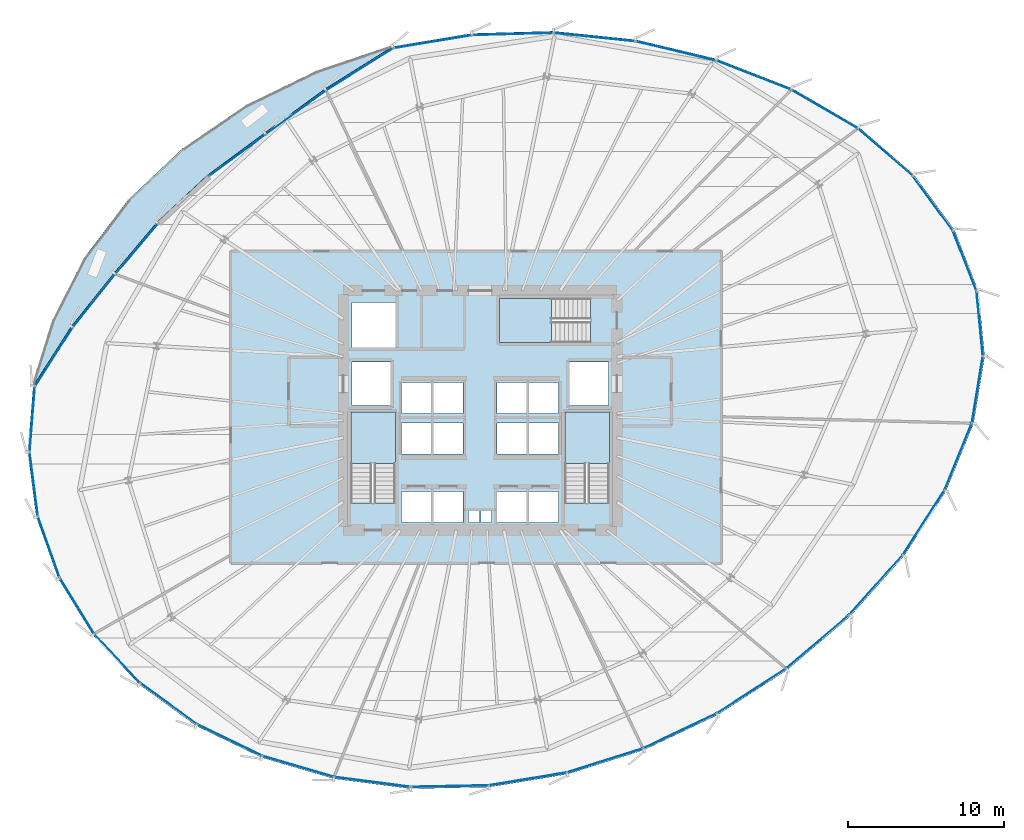
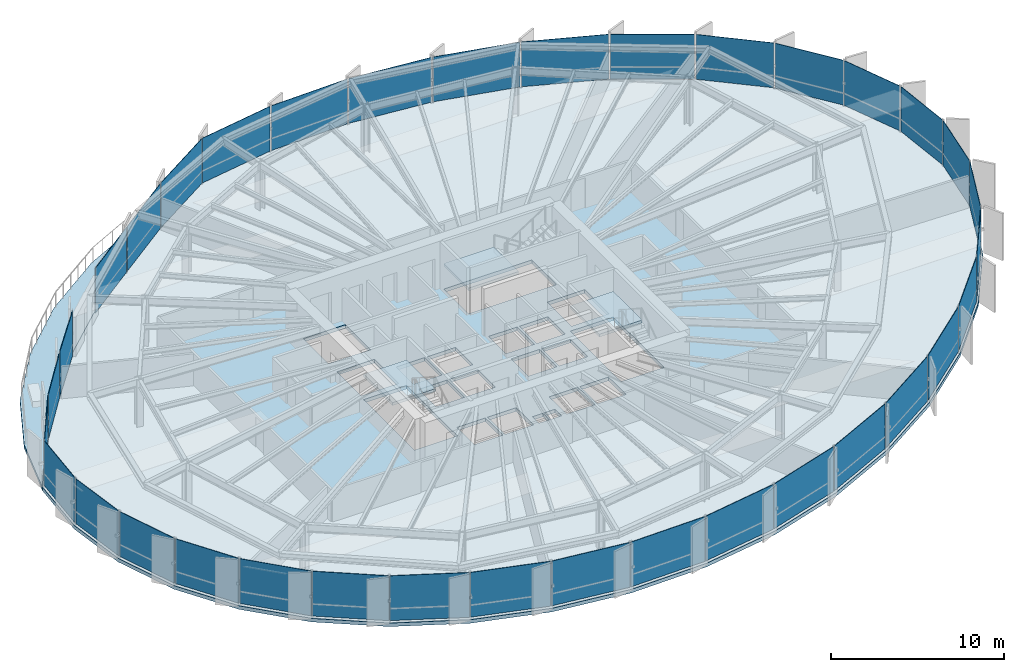
# One storey, part 28 of 35: 35 plates, 5 slabs, 9 elements without a shape of their own.
"""IFC4 building model written with IfcOpenShell, lengths in metres."""

from ifc_helpers import new_model, si_unit, direction, frame, origin, origin_2d, place, context, subcontext, project, spatial, polyline, rectangle, outline, extrude, source, transform, mapped, material, layer, layer_set, type_object, element, aggregate, save


model = new_model("IFC4")

# Units and contexts
model_context = context("Model", 3, precision=1e-05, world=origin(), true_north=direction((0.0, 1.0)))
body_context = subcontext(model_context, "Body", "Model", "MODEL_VIEW")
ifc_project = project(units=[si_unit("LENGTHUNIT", "METRE"), si_unit("AREAUNIT", "SQUARE_METRE"), si_unit("VOLUMEUNIT", "CUBIC_METRE"), si_unit("PLANEANGLEUNIT", "RADIAN"), si_unit("MASSUNIT", "GRAM", prefix="KILO"), si_unit("THERMODYNAMICTEMPERATUREUNIT", "KELVIN")], contexts=[model_context])

# Site, building, storey
site_placement = place(None, origin())
site = spatial("IfcSite", under=ifc_project, at=site_placement, CompositionType="ELEMENT")
building_placement = place(site_placement, origin())
building = spatial("IfcBuilding", under=site, at=building_placement, Name="Kethvar Cultural Tower", CompositionType="ELEMENT")
storey_placement = place(building_placement, frame((0.0, 0.0, 89.199951171875)))
storey = spatial("IfcBuildingStorey", under=building, at=storey_placement, Name="L21", CompositionType="ELEMENT", Elevation=89.199951171875)

# Stair, slab
ifc_material_1 = material(Name="Concrete C40/50", Category="concrete")
stair_type = type_object("IfcStairType", Name="ST-DOGLEG-135", PredefinedType="HALF_TURN_STAIR", material=ifc_material_1)
stair_1_placement = place(storey_placement, origin())
stair_1 = element("IfcStair", 1, at=stair_1_placement, inside=storey, type_object=stair_type, Name="L21 Core Exit Stair 1", PredefinedType="HALF_TURN_STAIR")
ifc_layer_1 = layer(ifc_material_1, 0.199951171875, Name="Concrete C40/50", Category="concrete")
ifc_layer_set_1 = layer_set([ifc_layer_1], Name="Concrete C40/50 (200 mm)")
slab_type_1 = type_object("IfcSlabType", Name="SL-STAIR-LANDING-200", PredefinedType="LANDING", material=ifc_layer_set_1)
slab_1_placement = place(storey_placement, frame((0.0, 0.0, 1.60009765625)))
slab_1 = element("IfcSlab", 2, at=slab_1_placement, type_object=slab_type_1, Name="ST-01 landing 1", PredefinedType="LANDING", context=body_context, shape_type="SweptSolid", body=[
    extrude(outline(polyline([(41.35009765625, 24.3701171875), (41.35009765625, 27.699951171875), (38.489990234375, 27.699951171875), (38.489990234375, 24.3701171875), (41.35009765625, 24.3701171875)])), origin(), (0.0, 0.0, 1.0), 0.199951171875),
])
aggregate(stair_1, [slab_1])

stair_2_placement = place(storey_placement, origin())
stair_2 = element("IfcStair", 3, at=stair_2_placement, inside=storey, type_object=stair_type, Name="L21 Core Exit Stair 2", PredefinedType="HALF_TURN_STAIR")
slab_2_placement = place(storey_placement, frame((0.0, 0.0, 1.60009765625)))
slab_2 = element("IfcSlab", 4, at=slab_2_placement, type_object=slab_type_1, Name="ST-02 landing 1", PredefinedType="LANDING", context=body_context, shape_type="SweptSolid", body=[
    extrude(outline(polyline([(55.110107421875, 24.3701171875), (55.110107421875, 27.699951171875), (52.25, 27.699951171875), (52.25, 24.3701171875), (55.110107421875, 24.3701171875)])), origin(), (0.0, 0.0, 1.0), 0.199951171875),
])
aggregate(stair_2, [slab_2])

stair_3_placement = place(storey_placement, origin())
stair_3 = element("IfcStair", 5, at=stair_3_placement, inside=storey, type_object=stair_type, Name="L21 Core Exit Stair 3", PredefinedType="HALF_TURN_STAIR")
slab_3_placement = place(storey_placement, frame((0.0, 0.0, 1.60009765625)))
slab_3 = element("IfcSlab", 6, at=slab_3_placement, type_object=slab_type_1, Name="ST-03 landing 1", PredefinedType="LANDING", context=body_context, shape_type="SweptSolid", body=[
    extrude(outline(polyline([(51.3798828125, 35.010009765625), (48.050048828125, 35.010009765625), (48.050048828125, 32.14990234375), (51.3798828125, 32.14990234375), (51.3798828125, 35.010009765625)])), origin(), (0.0, 0.0, 1.0), 0.199951171875),
])
aggregate(stair_3, [slab_3])

# Slabs
ifc_layer_2 = layer(ifc_material_1, 0.215087890625, Name="Concrete C40/50", Category="concrete")
ifc_layer_set_2 = layer_set([ifc_layer_2], Name="Concrete C40/50 (215 mm)")
slab_type_2 = type_object("IfcSlabType", Name="SL-TER-EXT", PredefinedType="FLOOR", material=ifc_layer_set_2)
slab_4_placement = place(storey_placement, frame((0.0, 0.0, -0.21484375)))
element("IfcSlab", 7, at=slab_4_placement, inside=storey, type_object=slab_type_2, Name="L21 Spiralling Sky Terrace Deck", PredefinedType="FLOOR", context=body_context, shape_type="SweptSolid", body=[
    extrude(outline(polyline([(41.18310546875, 51.196044921875), (36.3125, 49.65087890625), (31.7607421875, 47.441650390625), (27.666015625, 44.6357421875), (24.15234375, 41.318115234375), (21.326904296875, 37.58984375), (19.275634765625, 33.564208984375), (18.060546875, 29.36328125), (20.514892578125, 33.197021484375), (23.26171875, 36.625244140625), (26.04150390625, 39.92041015625), (29.283447265625, 42.930908203125), (32.9541015625, 45.638671875), (36.827880859375, 48.465576171875), (41.18310546875, 51.196044921875)])), origin(), (0.0, 0.0, 1.0), 0.21484375),
])
ifc_layer_3 = layer(ifc_material_1, 0.25, Name="Concrete C40/50", Category="concrete")
ifc_layer_set_3 = layer_set([ifc_layer_3], Name="Concrete C40/50 (250 mm)")
slab_type_3 = type_object("IfcSlabType", Name="SL-TOW-250", PredefinedType="FLOOR", material=ifc_layer_set_3)
slab_5_placement = place(storey_placement, frame((0.0, 0.0, -0.25)))
element("IfcSlab", 8, at=slab_5_placement, inside=storey, type_object=slab_type_3, Name="L21 Structural Floor Slab", PredefinedType="FLOOR", context=body_context, shape_type="SweptSolid", body=[
    extrude(outline(polyline([(78.840087890625, 35.4921875), (77.2998046875, 39.419189453125), (74.693603515625, 42.959716796875), (71.150634765625, 46.018310546875), (66.85009765625, 48.51904296875), (62.001708984375, 50.405029296875), (56.82421875, 51.635986328125), (51.5224609375, 52.18603515625), (46.268310546875, 52.041015625), (41.18310546875, 51.196044921875), (36.827880859375, 48.465576171875), (32.9541015625, 45.638671875), (29.283447265625, 42.930908203125), (26.04150390625, 39.92041015625), (23.26171875, 36.625244140625), (20.514892578125, 33.197021484375), (18.060546875, 29.36328125), (17.71875, 25.114990234375), (18.260498046875, 20.9482421875), (19.66943359375, 16.98974609375), (21.902587890625, 13.359619140625), (24.892578125, 10.168212890625), (28.5478515625, 7.5126953125), (32.7578125, 5.473388671875), (37.39453125, 4.112548828125), (42.31689453125, 3.471435546875), (47.375732421875, 3.569580078125), (52.4169921875, 4.404052734375), (57.331298828125, 5.959716796875), (62.07861328125, 8.2158203125), (66.552978515625, 11.11279296875), (70.607177734375, 14.560302734375), (74.07080078125, 18.441650390625), (76.767578125, 22.622314453125), (78.535888671875, 26.9560546875), (79.25048828125, 31.293701171875), (78.840087890625, 35.4921875)]), holes=[polyline([(38.489990234375, 21.85009765625), (38.489990234375, 27.699951171875), (41.35009765625, 27.699951171875), (41.35009765625, 21.85009765625), (38.489990234375, 21.85009765625)]), polyline([(52.25, 21.85009765625), (52.25, 27.699951171875), (55.110107421875, 27.699951171875), (55.110107421875, 21.85009765625), (52.25, 21.85009765625)]), polyline([(53.89990234375, 32.14990234375), (48.050048828125, 32.14990234375), (48.050048828125, 35.010009765625), (53.89990234375, 35.010009765625), (53.89990234375, 32.14990234375)]), polyline([(41.75, 22.60009765625), (43.64990234375, 22.60009765625), (43.64990234375, 20.60009765625), (41.75, 20.60009765625), (41.75, 22.60009765625)]), polyline([(43.800048828125, 22.60009765625), (45.699951171875, 22.60009765625), (45.699951171875, 20.60009765625), (43.800048828125, 20.60009765625), (43.800048828125, 22.60009765625)]), polyline([(47.89990234375, 22.60009765625), (49.800048828125, 22.60009765625), (49.800048828125, 20.60009765625), (47.89990234375, 20.60009765625), (47.89990234375, 22.60009765625)]), polyline([(49.949951171875, 22.60009765625), (51.85009765625, 22.60009765625), (51.85009765625, 20.60009765625), (49.949951171875, 20.60009765625), (49.949951171875, 22.60009765625)]), polyline([(41.75, 27.0), (43.64990234375, 27.0), (43.64990234375, 25.0), (41.75, 25.0), (41.75, 27.0)]), polyline([(43.800048828125, 27.0), (45.699951171875, 27.0), (45.699951171875, 25.0), (43.800048828125, 25.0), (43.800048828125, 27.0)]), polyline([(47.89990234375, 27.0), (49.800048828125, 27.0), (49.800048828125, 25.0), (47.89990234375, 25.0), (47.89990234375, 27.0)]), polyline([(49.949951171875, 27.0), (51.85009765625, 27.0), (51.85009765625, 25.0), (49.949951171875, 25.0), (49.949951171875, 27.0)]), polyline([(41.75, 29.60009765625), (43.64990234375, 29.60009765625), (43.64990234375, 27.60009765625), (41.75, 27.60009765625), (41.75, 29.60009765625)]), polyline([(43.800048828125, 29.60009765625), (45.699951171875, 29.60009765625), (45.699951171875, 27.60009765625), (43.800048828125, 27.60009765625), (43.800048828125, 29.60009765625)]), polyline([(47.89990234375, 29.60009765625), (49.800048828125, 29.60009765625), (49.800048828125, 27.60009765625), (47.89990234375, 27.60009765625), (47.89990234375, 29.60009765625)]), polyline([(49.949951171875, 29.60009765625), (51.85009765625, 29.60009765625), (51.85009765625, 27.60009765625), (49.949951171875, 27.60009765625), (49.949951171875, 29.60009765625)]), polyline([(38.550048828125, 30.89990234375), (41.050048828125, 30.89990234375), (41.050048828125, 28.10009765625), (38.550048828125, 28.10009765625), (38.550048828125, 30.89990234375)]), polyline([(52.550048828125, 30.89990234375), (55.050048828125, 30.89990234375), (55.050048828125, 28.10009765625), (52.550048828125, 28.10009765625), (52.550048828125, 30.89990234375)]), polyline([(38.550048828125, 34.75), (41.35009765625, 34.75), (41.35009765625, 31.85009765625), (38.550048828125, 31.85009765625), (38.550048828125, 34.75)]), polyline([(46.050048828125, 21.35009765625), (46.75, 21.35009765625), (46.75, 20.60009765625), (46.050048828125, 20.60009765625), (46.050048828125, 21.35009765625)]), polyline([(46.85009765625, 21.35009765625), (47.550048828125, 21.35009765625), (47.550048828125, 20.60009765625), (46.85009765625, 20.60009765625), (46.85009765625, 21.35009765625)])]), origin(), (0.0, 0.0, 1.0), 0.25),
])

# Curtain wall, plates
ifc_material_2 = material(Name="Aluminium 6063-T6", Category="aluminium")
ifc_layer_4 = layer(ifc_material_2, 0.179931640625, Name="Aluminium 6063-T6", Category="aluminium")
ifc_layer_set_4 = layer_set([ifc_layer_4], Name="Aluminium 6063-T6 (180 mm)")
curtain_wall_type = type_object("IfcCurtainWallType", Name="CW-SYS-03-Z2", PredefinedType="NOTDEFINED", material=ifc_layer_set_4)
curtain_wall_1_placement = place(storey_placement, origin())
curtain_wall_1 = element("IfcCurtainWall", 9, at=curtain_wall_1_placement, inside=storey, type_object=curtain_wall_type, Name="L21 Curtain Wall Run 01", PredefinedType="NOTDEFINED")
ifc_material_3 = material(Name="Insulated Low-E Solar Glass", Category="glass")
ifc_layer_5 = layer(ifc_material_3, 0.031982421875, Name="Insulated Low-E Solar Glass", Category="glass")
ifc_layer_set_5 = layer_set([ifc_layer_5], Name="Insulated Low-E Solar Glass (32 mm)")
plate_type = type_object("IfcPlateType", Name="CW-SYS-03-Z2-PNL", PredefinedType="CURTAIN_PANEL", material=ifc_layer_set_5)
shared_shape_1 = source(origin(), body_context, "Body", "SweptSolid", [
    extrude(rectangle(XDim=4.132080078125, YDim=0.031982421875, at=origin_2d()), origin(), (0.0, 0.0, 1.0), 3.14990234375),
])
plate_1_placement = place(storey_placement, frame((77.962890625, 37.413818359375, 0.10009765625), z_axis=(0.0, 0.0, 1.0), x_axis=(-0.365169266138, 0.930941140496, 0.0)))
plate_1 = element("IfcPlate", 10, at=plate_1_placement, type_object=plate_type, Name="CW-L21-R01 Vision Glazing Panel 1", PredefinedType="CURTAIN_PANEL", context=body_context, shape_type="MappedRepresentation", body=[
    mapped(shared_shape_1, transform((0.0, 0.0, 0.0), scale=1.0)),
])
shared_shape_2 = source(origin(), body_context, "Body", "SweptSolid", [
    extrude(rectangle(XDim=4.309814453125, YDim=0.031982421875, at=origin_2d()), origin(), (0.0, 0.0, 1.0), 3.14990234375),
])
plate_2_placement = place(storey_placement, frame((75.904052734375, 41.121337890625, 0.10009765625), z_axis=(0.0, 0.0, 1.0), x_axis=(-0.592772485266, 0.805369965116, 0.0)))
plate_2 = element("IfcPlate", 11, at=plate_2_placement, type_object=plate_type, Name="CW-L21-R01 Vision Glazing Panel 2", PredefinedType="CURTAIN_PANEL", context=body_context, shape_type="MappedRepresentation", body=[
    mapped(shared_shape_2, transform((0.0, 0.0, 0.0), scale=1.0)),
])

# Curtain wall, plate
curtain_wall_2_placement = place(storey_placement, origin())
curtain_wall_2 = element("IfcCurtainWall", 12, at=curtain_wall_2_placement, inside=storey, type_object=curtain_wall_type, Name="L21 Curtain Wall Run 06", PredefinedType="NOTDEFINED")
plate_3_placement = place(storey_placement, frame((78.77978515625, 29.1435546875, 0.10009765625), z_axis=(0.0, 0.0, 1.0), x_axis=(0.162516617553, 0.986705806722, 0.0)))
plate_3 = element("IfcPlate", 13, at=plate_3_placement, type_object=plate_type, Name="CW-L21-R06 Vision Glazing Panel 4", PredefinedType="CURTAIN_PANEL", context=body_context, shape_type="MappedRepresentation", body=[
    mapped(shared_shape_2, transform((0.0, 0.0, 0.0), scale=1.0)),
])

# Plate
shared_shape_3 = source(origin(), body_context, "Body", "SweptSolid", [
    extrude(rectangle(XDim=4.593994140625, YDim=0.031982421875, at=origin_2d()), origin(), (0.0, 0.0, 1.0), 3.14990234375),
])
plate_4_placement = place(storey_placement, frame((72.84716796875, 44.402099609375, 0.10009765625), z_axis=(0.0, 0.0, 1.0), x_axis=(-0.756972246509, 0.653447027704, 0.0)))
plate_4 = element("IfcPlate", 14, at=plate_4_placement, type_object=plate_type, Name="CW-L21-R01 Vision Glazing Panel 3", PredefinedType="CURTAIN_PANEL", context=body_context, shape_type="MappedRepresentation", body=[
    mapped(shared_shape_3, transform((0.0, 0.0, 0.0), scale=1.0)),
])

shared_shape_4 = source(origin(), body_context, "Body", "SweptSolid", [
    extrude(rectangle(XDim=4.888427734375, YDim=0.031982421875, at=origin_2d()), origin(), (0.0, 0.0, 1.0), 3.14990234375),
])
plate_5_placement = place(storey_placement, frame((68.9423828125, 47.169189453125, 0.10009765625), z_axis=(0.0, 0.0, 1.0), x_axis=(-0.864485430627, 0.502657875929, 0.0)))
plate_5 = element("IfcPlate", 15, at=plate_5_placement, type_object=plate_type, Name="CW-L21-R01 Vision Glazing Panel 4", PredefinedType="CURTAIN_PANEL", context=body_context, shape_type="MappedRepresentation", body=[
    mapped(shared_shape_4, transform((0.0, 0.0, 0.0), scale=1.0)),
])

plate_6_placement = place(storey_placement, frame((75.322509765625, 20.59423828125, 0.10009765625), z_axis=(0.0, 0.0, 1.0), x_axis=(0.542060258464, 0.840339619555, 0.0)))
plate_6 = element("IfcPlate", 16, at=plate_6_placement, type_object=plate_type, Name="CW-L21-R06 Vision Glazing Panel 2", PredefinedType="CURTAIN_PANEL", context=body_context, shape_type="MappedRepresentation", body=[
    mapped(shared_shape_4, transform((0.0, 0.0, 0.0), scale=1.0)),
])

shared_shape_5 = source(origin(), body_context, "Body", "SweptSolid", [
    extrude(rectangle(XDim=5.11572265625, YDim=0.031982421875, at=origin_2d()), origin(), (0.0, 0.0, 1.0), 3.14990234375),
])
plate_7_placement = place(storey_placement, frame((64.38427734375, 49.354736328125, 0.10009765625), z_axis=(0.0, 0.0, 1.0), x_axis=(-0.93196990975, 0.362535635932, 0.0)))
plate_7 = element("IfcPlate", 17, at=plate_7_placement, type_object=plate_type, Name="CW-L21-R01 Vision Glazing Panel 5", PredefinedType="CURTAIN_PANEL", context=body_context, shape_type="MappedRepresentation", body=[
    mapped(shared_shape_5, transform((0.0, 0.0, 0.0), scale=1.0)),
])

plate_8_placement = place(storey_placement, frame((72.25341796875, 16.577392578125, 0.10009765625), z_axis=(0.0, 0.0, 1.0), x_axis=(0.665803535404, 0.746127101936, 0.0)))
plate_8 = element("IfcPlate", 18, at=plate_8_placement, type_object=plate_type, Name="CW-L21-R06 Vision Glazing Panel 1", PredefinedType="CURTAIN_PANEL", context=body_context, shape_type="MappedRepresentation", body=[
    mapped(shared_shape_5, transform((0.0, 0.0, 0.0), scale=1.0)),
])

shared_shape_6 = source(origin(), body_context, "Body", "SweptSolid", [
    extrude(rectangle(XDim=5.235595703125, YDim=0.031982421875, at=origin_2d()), origin(), (0.0, 0.0, 1.0), 3.14990234375),
])
plate_9_placement = place(storey_placement, frame((59.386474609375, 50.90869140625, 0.10009765625), z_axis=(0.0, 0.0, 1.0), x_axis=(-0.972880941911, 0.231306447957, 0.0)))
plate_9 = element("IfcPlate", 19, at=plate_9_placement, type_object=plate_type, Name="CW-L21-R01 Vision Glazing Panel 6", PredefinedType="CURTAIN_PANEL", context=body_context, shape_type="MappedRepresentation", body=[
    mapped(shared_shape_6, transform((0.0, 0.0, 0.0), scale=1.0)),
])

aggregate(curtain_wall_1, [plate_1, plate_2, plate_4, plate_5, plate_7, plate_9])

# Curtain wall, plate
curtain_wall_3_placement = place(storey_placement, origin())
curtain_wall_3 = element("IfcCurtainWall", 20, at=curtain_wall_3_placement, inside=storey, type_object=curtain_wall_type, Name="L21 Curtain Wall Run 02", PredefinedType="NOTDEFINED")
shared_shape_7 = source(origin(), body_context, "Body", "SweptSolid", [
    extrude(rectangle(XDim=5.243896484375, YDim=0.031982421875, at=origin_2d()), origin(), (0.0, 0.0, 1.0), 3.14990234375),
])
plate_10_placement = place(storey_placement, frame((54.16162109375, 51.796630859375, 0.10009765625), z_axis=(0.0, 0.0, 1.0), x_axis=(-0.994661473405, 0.103191827797, 0.0)))
plate_10 = element("IfcPlate", 21, at=plate_10_placement, type_object=plate_type, Name="CW-L21-R02 Vision Glazing Panel 1", PredefinedType="CURTAIN_PANEL", context=body_context, shape_type="MappedRepresentation", body=[
    mapped(shared_shape_7, transform((0.0, 0.0, 0.0), scale=1.0)),
])

curtain_wall_4_placement = place(storey_placement, origin())
curtain_wall_4 = element("IfcCurtainWall", 22, at=curtain_wall_4_placement, inside=storey, type_object=curtain_wall_type, Name="L21 Curtain Wall Run 05", PredefinedType="NOTDEFINED")
plate_11_placement = place(storey_placement, frame((64.25341796875, 9.760986328125, 0.10009765625), z_axis=(0.0, 0.0, 1.0), x_axis=(0.839401752692, 0.543511451193, 0.0)))
plate_11 = element("IfcPlate", 23, at=plate_11_placement, type_object=plate_type, Name="CW-L21-R05 Vision Glazing Panel 5", PredefinedType="CURTAIN_PANEL", context=body_context, shape_type="MappedRepresentation", body=[
    mapped(shared_shape_7, transform((0.0, 0.0, 0.0), scale=1.0)),
])

# Plate
shared_shape_8 = source(origin(), body_context, "Body", "SweptSolid", [
    extrude(rectangle(XDim=5.169677734375, YDim=0.031982421875, at=origin_2d()), origin(), (0.0, 0.0, 1.0), 3.14990234375),
])
plate_12_placement = place(storey_placement, frame((48.898681640625, 51.99853515625, 0.10009765625), z_axis=(0.0, 0.0, 1.0), x_axis=(-0.999618837553, -0.027607600571, 0.0)))
plate_12 = element("IfcPlate", 24, at=plate_12_placement, type_object=plate_type, Name="CW-L21-R02 Vision Glazing Panel 2", PredefinedType="CURTAIN_PANEL", context=body_context, shape_type="MappedRepresentation", body=[
    mapped(shared_shape_8, transform((0.0, 0.0, 0.0), scale=1.0)),
])

plate_13_placement = place(storey_placement, frame((59.65576171875, 7.191650390625, 0.10009765625), z_axis=(0.0, 0.0, 1.0), x_axis=(0.903193002921, 0.42923466714, 0.0)))
plate_13 = element("IfcPlate", 25, at=plate_13_placement, type_object=plate_type, Name="CW-L21-R05 Vision Glazing Panel 4", PredefinedType="CURTAIN_PANEL", context=body_context, shape_type="MappedRepresentation", body=[
    mapped(shared_shape_8, transform((0.0, 0.0, 0.0), scale=1.0)),
])

shared_shape_9 = source(origin(), body_context, "Body", "SweptSolid", [
    extrude(rectangle(XDim=5.068603515625, YDim=0.031982421875, at=origin_2d()), origin(), (0.0, 0.0, 1.0), 3.14990234375),
])
plate_14_placement = place(storey_placement, frame((43.74462890625, 51.5048828125, 0.10009765625), z_axis=(0.0, 0.0, 1.0), x_axis=(-0.986477928974, -0.163894159894, 0.0)))
plate_14 = element("IfcPlate", 26, at=plate_14_placement, type_object=plate_type, Name="CW-L21-R02 Vision Glazing Panel 3", PredefinedType="CURTAIN_PANEL", context=body_context, shape_type="MappedRepresentation", body=[
    mapped(shared_shape_9, transform((0.0, 0.0, 0.0), scale=1.0)),
])

shared_shape_10 = source(origin(), body_context, "Body", "SweptSolid", [
    extrude(rectangle(XDim=5.053955078125, YDim=0.031982421875, at=origin_2d()), origin(), (0.0, 0.0, 1.0), 3.14990234375),
])
plate_15_placement = place(storey_placement, frame((39.066650390625, 49.7333984375, 0.10009765625), z_axis=(0.0, 0.0, 1.0), x_axis=(-0.84725174126, -0.531191572723, 0.0)))
plate_15 = element("IfcPlate", 27, at=plate_15_placement, type_object=plate_type, Name="CW-L21-R02 Vision Glazing Panel 4", PredefinedType="CURTAIN_PANEL", context=body_context, shape_type="MappedRepresentation", body=[
    mapped(shared_shape_10, transform((0.0, 0.0, 0.0), scale=1.0)),
])

shared_shape_11 = source(origin(), body_context, "Body", "SweptSolid", [
    extrude(rectangle(XDim=4.709228515625, YDim=0.031982421875, at=origin_2d()), origin(), (0.0, 0.0, 1.0), 3.14990234375),
])
plate_16_placement = place(storey_placement, frame((34.958740234375, 46.959228515625, 0.10009765625), z_axis=(0.0, 0.0, 1.0), x_axis=(-0.807804742534, -0.589450165782, 0.0)))
plate_16 = element("IfcPlate", 28, at=plate_16_placement, type_object=plate_type, Name="CW-L21-R02 Vision Glazing Panel 5", PredefinedType="CURTAIN_PANEL", context=body_context, shape_type="MappedRepresentation", body=[
    mapped(shared_shape_11, transform((0.0, 0.0, 0.0), scale=1.0)),
])

shared_shape_12 = source(origin(), body_context, "Body", "SweptSolid", [
    extrude(rectangle(XDim=4.474853515625, YDim=0.031982421875, at=origin_2d()), origin(), (0.0, 0.0, 1.0), 3.14990234375),
])
plate_17_placement = place(storey_placement, frame((31.18701171875, 44.1923828125, 0.10009765625), z_axis=(0.0, 0.0, 1.0), x_axis=(-0.80472805216, -0.593643632213, 0.0)))
plate_17 = element("IfcPlate", 29, at=plate_17_placement, type_object=plate_type, Name="CW-L21-R02 Vision Glazing Panel 6", PredefinedType="CURTAIN_PANEL", context=body_context, shape_type="MappedRepresentation", body=[
    mapped(shared_shape_12, transform((0.0, 0.0, 0.0), scale=1.0)),
])

aggregate(curtain_wall_3, [plate_10, plate_12, plate_14, plate_15, plate_16, plate_17])

# Curtain wall, plates
curtain_wall_5_placement = place(storey_placement, origin())
curtain_wall_5 = element("IfcCurtainWall", 30, at=curtain_wall_5_placement, inside=storey, type_object=curtain_wall_type, Name="L21 Curtain Wall Run 03", PredefinedType="NOTDEFINED")
shared_shape_13 = source(origin(), body_context, "Body", "SweptSolid", [
    extrude(rectangle(XDim=4.224365234375, YDim=0.031982421875, at=origin_2d()), origin(), (0.0, 0.0, 1.0), 3.14990234375),
])
plate_18_placement = place(storey_placement, frame((24.739501953125, 38.198486328125, 0.10009765625), z_axis=(0.0, 0.0, 1.0), x_axis=(-0.644777563581, -0.764370259431, 0.0)))
plate_18 = element("IfcPlate", 31, at=plate_18_placement, type_object=plate_type, Name="CW-L21-R03 Vision Glazing Panel 1", PredefinedType="CURTAIN_PANEL", context=body_context, shape_type="MappedRepresentation", body=[
    mapped(shared_shape_13, transform((0.0, 0.0, 0.0), scale=1.0)),
])
shared_shape_14 = source(origin(), body_context, "Body", "SweptSolid", [
    extrude(rectangle(XDim=4.306396484375, YDim=0.031982421875, at=origin_2d()), origin(), (0.0, 0.0, 1.0), 3.14990234375),
])
plate_19_placement = place(storey_placement, frame((21.97802734375, 34.839111328125, 0.10009765625), z_axis=(0.0, 0.0, 1.0), x_axis=(-0.625310759356, -0.780375841652, 0.0)))
plate_19 = element("IfcPlate", 32, at=plate_19_placement, type_object=plate_type, Name="CW-L21-R03 Vision Glazing Panel 2", PredefinedType="CURTAIN_PANEL", context=body_context, shape_type="MappedRepresentation", body=[
    mapped(shared_shape_14, transform((0.0, 0.0, 0.0), scale=1.0)),
])
shared_shape_15 = source(origin(), body_context, "Body", "SweptSolid", [
    extrude(rectangle(XDim=4.4658203125, YDim=0.031982421875, at=origin_2d()), origin(), (0.0, 0.0, 1.0), 3.14990234375),
])
plate_20_placement = place(storey_placement, frame((19.384521484375, 31.21826171875, 0.10009765625), z_axis=(0.0, 0.0, 1.0), x_axis=(-0.539182420563, -0.842189003345, 0.0)))
plate_20 = element("IfcPlate", 33, at=plate_20_placement, type_object=plate_type, Name="CW-L21-R03 Vision Glazing Panel 3", PredefinedType="CURTAIN_PANEL", context=body_context, shape_type="MappedRepresentation", body=[
    mapped(shared_shape_15, transform((0.0, 0.0, 0.0), scale=1.0)),
])
shared_shape_16 = source(origin(), body_context, "Body", "SweptSolid", [
    extrude(rectangle(XDim=4.17578125, YDim=0.031982421875, at=origin_2d()), origin(), (0.0, 0.0, 1.0), 3.14990234375),
])
plate_21_placement = place(storey_placement, frame((18.004150390625, 27.22998046875, 0.10009765625), z_axis=(0.0, 0.0, 1.0), x_axis=(-0.080198924329, -0.996778878456, 0.0)))
plate_21 = element("IfcPlate", 34, at=plate_21_placement, type_object=plate_type, Name="CW-L21-R03 Vision Glazing Panel 4", PredefinedType="CURTAIN_PANEL", context=body_context, shape_type="MappedRepresentation", body=[
    mapped(shared_shape_16, transform((0.0, 0.0, 0.0), scale=1.0)),
])
shared_shape_17 = source(origin(), body_context, "Body", "SweptSolid", [
    extrude(rectangle(XDim=4.115478515625, YDim=0.031982421875, at=origin_2d()), origin(), (0.0, 0.0, 1.0), 3.14990234375),
])
plate_22_placement = place(storey_placement, frame((18.103759765625, 23.04638671875, 0.10009765625), z_axis=(0.0, 0.0, 1.0), x_axis=(0.12895136633, -0.991650918984, 0.0)))
plate_22 = element("IfcPlate", 35, at=plate_22_placement, type_object=plate_type, Name="CW-L21-R03 Vision Glazing Panel 5", PredefinedType="CURTAIN_PANEL", context=body_context, shape_type="MappedRepresentation", body=[
    mapped(shared_shape_17, transform((0.0, 0.0, 0.0), scale=1.0)),
])
plate_23_placement = place(storey_placement, frame((19.0732421875, 19.007568359375, 0.10009765625), z_axis=(0.0, 0.0, 1.0), x_axis=(0.335303587574, -0.942110133774, 0.0)))
plate_23 = element("IfcPlate", 36, at=plate_23_placement, type_object=plate_type, Name="CW-L21-R03 Vision Glazing Panel 6", PredefinedType="CURTAIN_PANEL", context=body_context, shape_type="MappedRepresentation", body=[
    mapped(shared_shape_17, transform((0.0, 0.0, 0.0), scale=1.0)),
])
aggregate(curtain_wall_5, [plate_18, plate_19, plate_20, plate_21, plate_22, plate_23])

curtain_wall_6_placement = place(storey_placement, origin())
curtain_wall_6 = element("IfcCurtainWall", 37, at=curtain_wall_6_placement, inside=storey, type_object=curtain_wall_type, Name="L21 Curtain Wall Run 04", PredefinedType="NOTDEFINED")
shared_shape_18 = source(origin(), body_context, "Body", "SweptSolid", [
    extrude(rectangle(XDim=4.175537109375, YDim=0.031982421875, at=origin_2d()), origin(), (0.0, 0.0, 1.0), 3.14990234375),
])
plate_24_placement = place(storey_placement, frame((20.884033203125, 15.235107421875, 0.10009765625), z_axis=(0.0, 0.0, 1.0), x_axis=(0.52400077133, -0.851717788734, 0.0)))
plate_24 = element("IfcPlate", 38, at=plate_24_placement, type_object=plate_type, Name="CW-L21-R04 Vision Glazing Panel 1", PredefinedType="CURTAIN_PANEL", context=body_context, shape_type="MappedRepresentation", body=[
    mapped(shared_shape_18, transform((0.0, 0.0, 0.0), scale=1.0)),
])
shared_shape_19 = source(origin(), body_context, "Body", "SweptSolid", [
    extrude(rectangle(XDim=4.28662109375, YDim=0.031982421875, at=origin_2d()), origin(), (0.0, 0.0, 1.0), 3.14990234375),
])
plate_25_placement = place(storey_placement, frame((23.4814453125, 11.842529296875, 0.10009765625), z_axis=(0.0, 0.0, 1.0), x_axis=(0.683681466639, -0.729780550696, 0.0)))
plate_25 = element("IfcPlate", 39, at=plate_25_placement, type_object=plate_type, Name="CW-L21-R04 Vision Glazing Panel 2", PredefinedType="CURTAIN_PANEL", context=body_context, shape_type="MappedRepresentation", body=[
    mapped(shared_shape_19, transform((0.0, 0.0, 0.0), scale=1.0)),
])
shared_shape_20 = source(origin(), body_context, "Body", "SweptSolid", [
    extrude(rectangle(XDim=4.431884765625, YDim=0.031982421875, at=origin_2d()), origin(), (0.0, 0.0, 1.0), 3.14990234375),
])
plate_26_placement = place(storey_placement, frame((26.787841796875, 8.933349609375, 0.10009765625), z_axis=(0.0, 0.0, 1.0), x_axis=(0.809037511458, -0.587757011914, 0.0)))
plate_26 = element("IfcPlate", 40, at=plate_26_placement, type_object=plate_type, Name="CW-L21-R04 Vision Glazing Panel 3", PredefinedType="CURTAIN_PANEL", context=body_context, shape_type="MappedRepresentation", body=[
    mapped(shared_shape_20, transform((0.0, 0.0, 0.0), scale=1.0)),
])
shared_shape_21 = source(origin(), body_context, "Body", "SweptSolid", [
    extrude(rectangle(XDim=4.591552734375, YDim=0.031982421875, at=origin_2d()), origin(), (0.0, 0.0, 1.0), 3.14990234375),
])
plate_27_placement = place(storey_placement, frame((30.702880859375, 6.596435546875, 0.10009765625), z_axis=(0.0, 0.0, 1.0), x_axis=(0.899984272468, -0.435922366151, 0.0)))
plate_27 = element("IfcPlate", 41, at=plate_27_placement, type_object=plate_type, Name="CW-L21-R04 Vision Glazing Panel 4", PredefinedType="CURTAIN_PANEL", context=body_context, shape_type="MappedRepresentation", body=[
    mapped(shared_shape_21, transform((0.0, 0.0, 0.0), scale=1.0)),
])
shared_shape_22 = source(origin(), body_context, "Body", "SweptSolid", [
    extrude(rectangle(XDim=4.745849609375, YDim=0.031982421875, at=origin_2d()), origin(), (0.0, 0.0, 1.0), 3.14990234375),
])
plate_28_placement = place(storey_placement, frame((35.108642578125, 4.9033203125, 0.10009765625), z_axis=(0.0, 0.0, 1.0), x_axis=(0.95953051432, -0.281604673415, 0.0)))
plate_28 = element("IfcPlate", 42, at=plate_28_placement, type_object=plate_type, Name="CW-L21-R04 Vision Glazing Panel 5", PredefinedType="CURTAIN_PANEL", context=body_context, shape_type="MappedRepresentation", body=[
    mapped(shared_shape_22, transform((0.0, 0.0, 0.0), scale=1.0)),
])
shared_shape_23 = source(origin(), body_context, "Body", "SweptSolid", [
    extrude(rectangle(XDim=4.877685546875, YDim=0.031982421875, at=origin_2d()), origin(), (0.0, 0.0, 1.0), 3.14990234375),
])
plate_29_placement = place(storey_placement, frame((39.87060546875, 3.906005859375, 0.10009765625), z_axis=(0.0, 0.0, 1.0), x_axis=(0.991623889724, -0.129159054383, 0.0)))
plate_29 = element("IfcPlate", 43, at=plate_29_placement, type_object=plate_type, Name="CW-L21-R04 Vision Glazing Panel 6", PredefinedType="CURTAIN_PANEL", context=body_context, shape_type="MappedRepresentation", body=[
    mapped(shared_shape_23, transform((0.0, 0.0, 0.0), scale=1.0)),
])
aggregate(curtain_wall_6, [plate_24, plate_25, plate_26, plate_27, plate_28, plate_29])

# Plate
shared_shape_24 = source(origin(), body_context, "Body", "SweptSolid", [
    extrude(rectangle(XDim=4.97314453125, YDim=0.031982421875, at=origin_2d()), origin(), (0.0, 0.0, 1.0), 3.14990234375),
])
plate_30_placement = place(storey_placement, frame((44.843994140625, 3.635498046875, 0.10009765625), z_axis=(0.0, 0.0, 1.0), x_axis=(0.99981166949, 0.01940684289, 0.0)))
plate_30 = element("IfcPlate", 44, at=plate_30_placement, type_object=plate_type, Name="CW-L21-R05 Vision Glazing Panel 1", PredefinedType="CURTAIN_PANEL", context=body_context, shape_type="MappedRepresentation", body=[
    mapped(shared_shape_24, transform((0.0, 0.0, 0.0), scale=1.0)),
])

shared_shape_25 = source(origin(), body_context, "Body", "SweptSolid", [
    extrude(rectangle(XDim=5.0234375, YDim=0.031982421875, at=origin_2d()), origin(), (0.0, 0.0, 1.0), 3.14990234375),
])
plate_31_placement = place(storey_placement, frame((49.87744140625, 4.100341796875, 0.10009765625), z_axis=(0.0, 0.0, 1.0), x_axis=(0.986580711982, 0.16327430522, 0.0)))
plate_31 = element("IfcPlate", 45, at=plate_31_placement, type_object=plate_type, Name="CW-L21-R05 Vision Glazing Panel 2", PredefinedType="CURTAIN_PANEL", context=body_context, shape_type="MappedRepresentation", body=[
    mapped(shared_shape_25, transform((0.0, 0.0, 0.0), scale=1.0)),
])

shared_shape_26 = source(origin(), body_context, "Body", "SweptSolid", [
    extrude(rectangle(XDim=5.068359375, YDim=0.031982421875, at=origin_2d()), origin(), (0.0, 0.0, 1.0), 3.14990234375),
])
plate_32_placement = place(storey_placement, frame((54.83935546875, 5.29150390625, 0.10009765625), z_axis=(0.0, 0.0, 1.0), x_axis=(0.95336992986, 0.301804202817, 0.0)))
plate_32 = element("IfcPlate", 46, at=plate_32_placement, type_object=plate_type, Name="CW-L21-R05 Vision Glazing Panel 3", PredefinedType="CURTAIN_PANEL", context=body_context, shape_type="MappedRepresentation", body=[
    mapped(shared_shape_26, transform((0.0, 0.0, 0.0), scale=1.0)),
])

shared_shape_27 = source(origin(), body_context, "Body", "SweptSolid", [
    extrude(rectangle(XDim=5.2353515625, YDim=0.031982421875, at=origin_2d()), origin(), (0.0, 0.0, 1.0), 3.14990234375),
])
plate_33_placement = place(storey_placement, frame((68.505615234375, 12.92431640625, 0.10009765625), z_axis=(0.0, 0.0, 1.0), x_axis=(0.7618323366, 0.647774259222, 0.0)))
plate_33 = element("IfcPlate", 47, at=plate_33_placement, type_object=plate_type, Name="CW-L21-R05 Vision Glazing Panel 6", PredefinedType="CURTAIN_PANEL", context=body_context, shape_type="MappedRepresentation", body=[
    mapped(shared_shape_27, transform((0.0, 0.0, 0.0), scale=1.0)),
])

aggregate(curtain_wall_4, [plate_30, plate_31, plate_32, plate_13, plate_11, plate_33])

shared_shape_28 = source(origin(), body_context, "Body", "SweptSolid", [
    extrude(rectangle(XDim=4.59423828125, YDim=0.031982421875, at=origin_2d()), origin(), (0.0, 0.0, 1.0), 3.14990234375),
])
plate_34_placement = place(storey_placement, frame((77.54541015625, 24.83251953125, 0.10009765625), z_axis=(0.0, 0.0, 1.0), x_axis=(0.37779230783, 0.925890367238, 0.0)))
plate_34 = element("IfcPlate", 48, at=plate_34_placement, type_object=plate_type, Name="CW-L21-R06 Vision Glazing Panel 3", PredefinedType="CURTAIN_PANEL", context=body_context, shape_type="MappedRepresentation", body=[
    mapped(shared_shape_28, transform((0.0, 0.0, 0.0), scale=1.0)),
])

shared_shape_29 = source(origin(), body_context, "Body", "SweptSolid", [
    extrude(rectangle(XDim=4.1318359375, YDim=0.031982421875, at=origin_2d()), origin(), (0.0, 0.0, 1.0), 3.14990234375),
])
plate_35_placement = place(storey_placement, frame((78.9306640625, 33.381591796875, 0.10009765625), z_axis=(0.0, 0.0, 1.0), x_axis=(-0.09727023504, 0.995258007441, 0.0)))
plate_35 = element("IfcPlate", 49, at=plate_35_placement, type_object=plate_type, Name="CW-L21-R06 Vision Glazing Panel 5", PredefinedType="CURTAIN_PANEL", context=body_context, shape_type="MappedRepresentation", body=[
    mapped(shared_shape_29, transform((0.0, 0.0, 0.0), scale=1.0)),
])

aggregate(curtain_wall_2, [plate_8, plate_6, plate_34, plate_3, plate_35])

save(model, "model.ifc")
